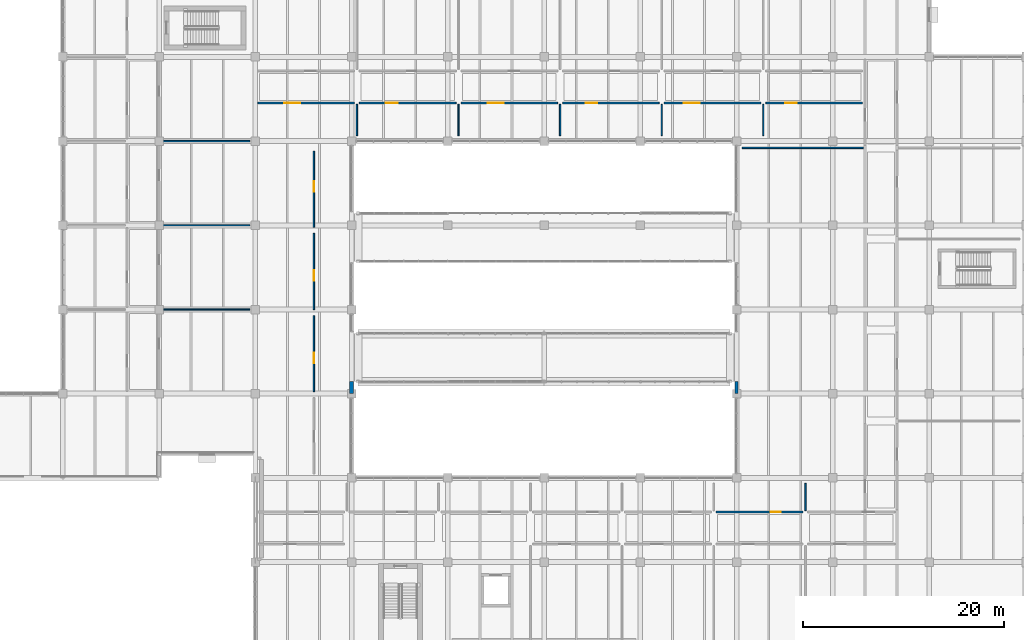
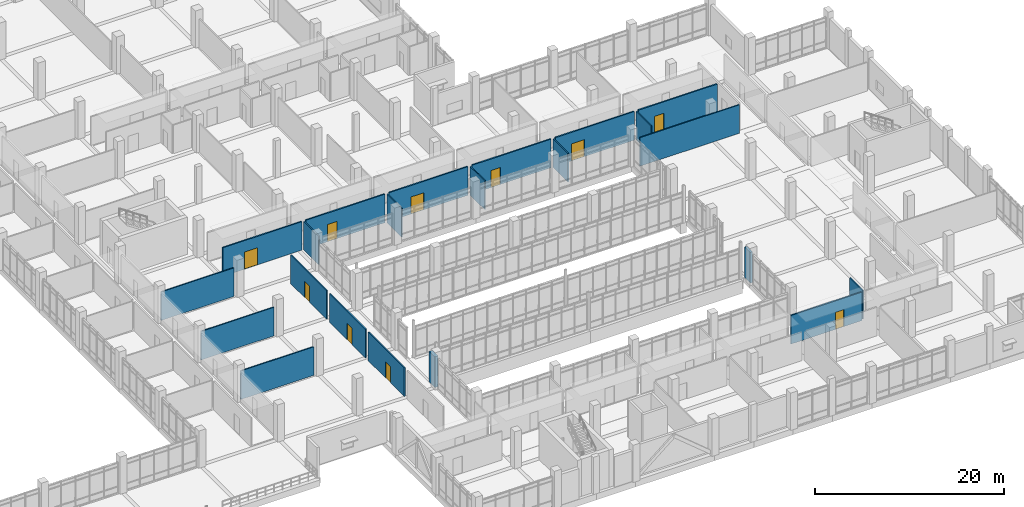
# One storey, part 128 of 152: 22 walls, 10 doors, 10 openings.
"""IFC4 building model written with IfcOpenShell, lengths in metres."""

from ifc_helpers import new_model, si_unit, direction, frame, frame_2d, origin, place, context, subcontext, project, spatial, rectangle, extrude, material, layer, layer_set, type_object, element, fill, save


model = new_model("IFC4")

# Units and contexts
model_context = context("Model", 3, precision=1e-05, world=origin(), true_north=direction((0.0, 1.0)))
body_context = subcontext(model_context, "Body", "Model", "MODEL_VIEW")
ifc_project = project(units=[si_unit("LENGTHUNIT", "METRE"), si_unit("AREAUNIT", "SQUARE_METRE"), si_unit("VOLUMEUNIT", "CUBIC_METRE"), si_unit("PLANEANGLEUNIT", "RADIAN"), si_unit("MASSUNIT", "GRAM", prefix="KILO")], contexts=[model_context])

# Site, building, storey
site_placement = place(None, origin())
site = spatial("IfcSite", under=ifc_project, at=site_placement, CompositionType="ELEMENT")
building_placement = place(site_placement, origin())
building = spatial("IfcBuilding", under=site, at=building_placement, Name="Oolite Switchyard Hospital", CompositionType="ELEMENT")
storey_placement = place(building_placement, frame((0.0, 0.0, 5.10009765625)))
storey = spatial("IfcBuildingStorey", under=building, at=storey_placement, Name="L01", CompositionType="ELEMENT", Elevation=5.10009765625)

# Walls
ifc_material_1 = material(Name="Precast oolitic limestone architectural concrete C40/50", Category="masonry")
ifc_layer_1 = layer(ifc_material_1, 0.300048828125)
ifc_layer_set_1 = layer_set([ifc_layer_1], Name="WAL-EXT-300")
wall_type_1 = type_object("IfcWallType", Name="WAL-EXT-300", PredefinedType="SOLIDWALL", material=ifc_layer_set_1)
wall_1_placement = place(storey_placement, frame((182.39990234375, 33.60009765625, 0.0), z_axis=(0.0, 0.0, 1.0), x_axis=(0.0, 1.0, 0.0)))
element("IfcWall", 1, at=wall_1_placement, inside=storey, type_object=wall_type_1, Name="L01 Exterior Spandrel Wall 120", PredefinedType="SOLIDWALL", context=body_context, shape_type="SweptSolid", body=[
    extrude(rectangle(XDim=1.199951171875, YDim=0.300048828125, at=frame_2d((0.60009765625, 0.0))), origin(), (0.0, 0.0, 1.0), 3.93994140625),
])
ifc_layer_2 = layer(ifc_material_1, 0.3798828125)
ifc_layer_set_2 = layer_set([ifc_layer_2], Name="WAL-EXT-380")
wall_type_2 = type_object("IfcWallType", Name="WAL-EXT-380", PredefinedType="SOLIDWALL", material=ifc_layer_set_2)
wall_2_placement = place(storey_placement, frame((144.0, 34.800048828125, 0.0), z_axis=(0.0, 0.0, 1.0), x_axis=(0.0, -1.0, 0.0)))
element("IfcWall", 2, at=wall_2_placement, inside=storey, type_object=wall_type_2, Name="L01 Exterior Spandrel Wall 117", PredefinedType="SOLIDWALL", context=body_context, shape_type="SweptSolid", body=[
    extrude(rectangle(XDim=1.199951171875, YDim=0.3798828125, at=frame_2d((0.60009765625, 0.0))), origin(), (0.0, 0.0, 1.0), 3.93994140625),
])
ifc_material_2 = material(Name="Moisture-resistant gypsum board on steel studs", Category="steel")
ifc_layer_3 = layer(ifc_material_2, 0.135009765625)
ifc_layer_set_3 = layer_set([ifc_layer_3], Name="WAL-PART-135")
wall_type_3 = type_object("IfcWallType", Name="WAL-PART-135", PredefinedType="PARTITIONING", material=ifc_layer_set_3)
for number, where, z_axis, x_axis, name in (
    (3, (124.949951171875, 42.0, 0.0), (0.0, 0.0, 1.0), (1.0, 0.0, 0.0), "L01 Interior Partition 280"),
    (4, (124.949951171875, 50.39990234375, 0.0), (0.0, 0.0, 1.0), (1.0, 0.0, 0.0), "L01 Interior Partition 284"),
    (5, (124.949951171875, 58.800048828125, 0.0), (0.0, 0.0, 1.0), (1.0, 0.0, 0.0), "L01 Interior Partition 288"),
):
    element("IfcWall", number, at=place(storey_placement, frame(where, z_axis=z_axis, x_axis=x_axis)), inside=storey, type_object=wall_type_3, Name=name, PredefinedType="PARTITIONING", context=body_context, shape_type="SweptSolid", body=[
        extrude(rectangle(XDim=8.900146484375, YDim=0.135009765625, at=frame_2d((4.4501953125, 0.0))), origin(), (0.0, 0.0, 1.0), 3.679931640625),
    ])
wall_3_placement = place(storey_placement, frame((189.258056640625, 21.949951171875, 0.0), z_axis=(0.0, 0.0, 1.0), x_axis=(0.0, 1.0, 0.0)))
element("IfcWall", 6, at=wall_3_placement, inside=storey, type_object=wall_type_3, Name="L01 Interior Partition 376", PredefinedType="PARTITIONING", context=body_context, shape_type="SweptSolid", body=[
    extrude(rectangle(XDim=2.699951171875, YDim=0.135009765625, at=frame_2d((1.35009765625, 0.0))), origin(), (0.0, 0.0, 1.0), 3.679931640625),
])
wall_4_placement = place(storey_placement, frame((182.949951171875, 58.1201171875, 0.0), z_axis=(0.0, 0.0, 1.0), x_axis=(1.0, 0.0, 0.0)))
element("IfcWall", 7, at=wall_4_placement, inside=storey, type_object=wall_type_3, Name="L01 Interior Partition 384", PredefinedType="PARTITIONING", context=body_context, shape_type="SweptSolid", body=[
    extrude(rectangle(XDim=12.10009765625, YDim=0.135009765625, at=frame_2d((6.050048828125, 0.0))), origin(), (0.0, 0.0, 1.0), 3.679931640625),
])
for number, where, z_axis, x_axis, name in (
    (8, (144.532958984375, 59.35009765625, 0.0), (0.0, 0.0, 1.0), (0.0, 1.0, 0.0), "L01 Interior Partition 390"),
    (9, (154.666015625, 59.35009765625, 0.0), (0.0, 0.0, 1.0), (0.0, 1.0, 0.0), "L01 Interior Partition 394"),
    (10, (164.799072265625, 59.35009765625, 0.0), (0.0, 0.0, 1.0), (0.0, 1.0, 0.0), "L01 Interior Partition 398"),
    (11, (174.931884765625, 59.35009765625, 0.0), (0.0, 0.0, 1.0), (0.0, 1.0, 0.0), "L01 Interior Partition 402"),
    (12, (185.06494140625, 59.35009765625, 0.0), (0.0, 0.0, 1.0), (0.0, 1.0, 0.0), "L01 Interior Partition 406"),
):
    element("IfcWall", number, at=place(storey_placement, frame(where, z_axis=z_axis, x_axis=x_axis)), inside=storey, type_object=wall_type_3, Name=name, PredefinedType="PARTITIONING", context=body_context, shape_type="SweptSolid", body=[
        extrude(rectangle(XDim=3.099853515625, YDim=0.135009765625, at=frame_2d((1.5498046875, 0.0))), origin(), (0.0, 0.0, 1.0), 3.679931640625),
    ])

# Wall, opening, door
ifc_layer_4 = layer(ifc_material_2, 0.14990234375)
ifc_layer_set_4 = layer_set([ifc_layer_4], Name="WAL-PART-150")
wall_type_4 = type_object("IfcWallType", Name="WAL-PART-150", PredefinedType="PARTITIONING", material=ifc_layer_set_4)
wall_5_placement = place(storey_placement, frame((140.25, 33.800048828125, 0.0), z_axis=(0.0, 0.0, 1.0), x_axis=(0.0, 1.0, 0.0)))
wall_5 = element("IfcWall", 13, at=wall_5_placement, inside=storey, type_object=wall_type_4, Name="L01 Interior Partition 974", PredefinedType="PARTITIONING", context=body_context, shape_type="SweptSolid", body=[
    extrude(rectangle(XDim=7.599853515625, YDim=0.14990234375, at=frame_2d((3.7998046875, 0.0))), origin(), (0.0, 0.0, 1.0), 3.679931640625),
])
opening_1_placement = place(wall_5_placement, frame((2.85009765625, 0.0, 0.0)))
opening_1 = element("IfcOpeningElement", 14, at=opening_1_placement, cuts=wall_5, Name="Opening D-0542", PredefinedType="OPENING", context=body_context, shape_type="SweptSolid", body=[
    extrude(rectangle(XDim=1.050048828125, YDim=2.10009765625, at=frame_2d((0.52490234375, 1.050048828125))), frame((0.0, 0.0849609375, 0.0), z_axis=(0.0, -1.0, 0.0), x_axis=(1.0, 0.0, 0.0)), (0.0, 0.0, 1.0), 0.169921875),
])
ifc_material_3 = material(Name="Solid-core antimicrobial hardwood leaf in steel frame", Category="steel")
door_type_1 = type_object("IfcDoorType", Name="DR-EXAM-105X210", OperationType="NOTDEFINED", PredefinedType="DOOR", material=ifc_material_3)
door_1_placement = place(opening_1_placement, origin())
door_1 = element("IfcDoor", 15, at=door_1_placement, inside=storey, type_object=door_type_1, Name="L01 Interior Door D-0542", OperationType="SINGLE_SWING_RIGHT", OverallHeight=2.10009765625, OverallWidth=1.050048828125, PredefinedType="DOOR", context=body_context, shape_type="SweptSolid", body=[
    extrude(rectangle(XDim=1.050048828125, YDim=2.10009765625, at=frame_2d((0.52490234375, 1.050048828125))), frame((0.0, 0.02490234375, 0.0), z_axis=(0.0, -1.0, 0.0), x_axis=(1.0, 0.0, 0.0)), (0.0, 0.0, 1.0), 0.050048828125),
])
fill(opening_1, door_1)

wall_6_placement = place(storey_placement, frame((140.25, 42.0, 0.0), z_axis=(0.0, 0.0, 1.0), x_axis=(0.0, 1.0, 0.0)))
wall_6 = element("IfcWall", 16, at=wall_6_placement, inside=storey, type_object=wall_type_4, Name="L01 Interior Partition 975", PredefinedType="PARTITIONING", context=body_context, shape_type="SweptSolid", body=[
    extrude(rectangle(XDim=7.60009765625, YDim=0.14990234375, at=frame_2d((3.800048828125, 0.0))), origin(), (0.0, 0.0, 1.0), 3.679931640625),
])
opening_2_placement = place(wall_6_placement, frame((2.85009765625, 0.0, 0.0)))
opening_2 = element("IfcOpeningElement", 17, at=opening_2_placement, cuts=wall_6, Name="Opening D-0543", PredefinedType="OPENING", context=body_context, shape_type="SweptSolid", body=[
    extrude(rectangle(XDim=1.050048828125, YDim=2.10009765625, at=frame_2d((0.52490234375, 1.050048828125))), frame((0.0, 0.0849609375, 0.0), z_axis=(0.0, -1.0, 0.0), x_axis=(1.0, 0.0, 0.0)), (0.0, 0.0, 1.0), 0.169921875),
])
door_2_placement = place(opening_2_placement, origin())
door_2 = element("IfcDoor", 18, at=door_2_placement, inside=storey, type_object=door_type_1, Name="L01 Interior Door D-0543", OperationType="SINGLE_SWING_LEFT", OverallHeight=2.10009765625, OverallWidth=1.050048828125, PredefinedType="DOOR", context=body_context, shape_type="SweptSolid", body=[
    extrude(rectangle(XDim=1.050048828125, YDim=2.10009765625, at=frame_2d((0.52490234375, 1.050048828125))), frame((0.0, 0.02490234375, 0.0), z_axis=(0.0, -1.0, 0.0), x_axis=(1.0, 0.0, 0.0)), (0.0, 0.0, 1.0), 0.050048828125),
])
fill(opening_2, door_2)

wall_7_placement = place(storey_placement, frame((140.25, 50.199951171875, 0.0), z_axis=(0.0, 0.0, 1.0), x_axis=(0.0, 1.0, 0.0)))
wall_7 = element("IfcWall", 19, at=wall_7_placement, inside=storey, type_object=wall_type_4, Name="L01 Interior Partition 976", PredefinedType="PARTITIONING", context=body_context, shape_type="SweptSolid", body=[
    extrude(rectangle(XDim=7.60009765625, YDim=0.14990234375, at=frame_2d((3.800048828125, 0.0))), origin(), (0.0, 0.0, 1.0), 3.679931640625),
])
opening_3_placement = place(wall_7_placement, frame((3.550048828125, 0.0, 0.0)))
opening_3 = element("IfcOpeningElement", 20, at=opening_3_placement, cuts=wall_7, Name="Opening D-0544", PredefinedType="OPENING", context=body_context, shape_type="SweptSolid", body=[
    extrude(rectangle(XDim=1.050048828125, YDim=2.10009765625, at=frame_2d((0.52490234375, 1.050048828125))), frame((0.0, 0.0849609375, 0.0), z_axis=(0.0, -1.0, 0.0), x_axis=(1.0, 0.0, 0.0)), (0.0, 0.0, 1.0), 0.169921875),
])
door_3_placement = place(opening_3_placement, origin())
door_3 = element("IfcDoor", 21, at=door_3_placement, inside=storey, type_object=door_type_1, Name="L01 Interior Door D-0544", OperationType="SINGLE_SWING_RIGHT", OverallHeight=2.10009765625, OverallWidth=1.050048828125, PredefinedType="DOOR", context=body_context, shape_type="SweptSolid", body=[
    extrude(rectangle(XDim=1.050048828125, YDim=2.10009765625, at=frame_2d((0.52490234375, 1.050048828125))), frame((0.0, 0.02490234375, 0.0), z_axis=(0.0, -1.0, 0.0), x_axis=(1.0, 0.0, 0.0)), (0.0, 0.0, 1.0), 0.050048828125),
])
fill(opening_3, door_3)

ifc_layer_5 = layer(ifc_material_2, 0.1650390625)
ifc_layer_set_5 = layer_set([ifc_layer_5], Name="WAL-PART-165")
wall_type_5 = type_object("IfcWallType", Name="WAL-PART-165", PredefinedType="PARTITIONING", material=ifc_layer_set_5)
wall_8_placement = place(storey_placement, frame((180.364990234375, 21.800048828125, 0.0), z_axis=(0.0, 0.0, 1.0), x_axis=(1.0, 0.0, 0.0)))
wall_8 = element("IfcWall", 22, at=wall_8_placement, inside=storey, type_object=wall_type_5, Name="L01 Interior Partition 371", PredefinedType="PARTITIONING", context=body_context, shape_type="SweptSolid", body=[
    extrude(rectangle(XDim=8.64306640625, YDim=0.1650390625, at=frame_2d((4.321533203125, 0.0))), origin(), (0.0, 0.0, 1.0), 3.679931640625),
])
opening_4_placement = place(wall_8_placement, frame((5.449951171875, 0.0, 0.0)))
opening_4 = element("IfcOpeningElement", 23, at=opening_4_placement, cuts=wall_8, Name="Opening D-0212", PredefinedType="OPENING", context=body_context, shape_type="SweptSolid", body=[
    extrude(rectangle(XDim=1.0, YDim=2.199951171875, at=frame_2d((0.5, 1.10009765625))), frame((0.0, 0.092529296875, 0.0), z_axis=(0.0, -1.0, 0.0), x_axis=(1.0, 0.0, 0.0)), (0.0, 0.0, 1.0), 0.18505859375),
])
door_type_2 = type_object("IfcDoorType", Name="DR-OFF-100X220", OperationType="NOTDEFINED", PredefinedType="DOOR", material=ifc_material_3)
door_4_placement = place(opening_4_placement, origin())
door_4 = element("IfcDoor", 24, at=door_4_placement, inside=storey, type_object=door_type_2, Name="L01 Interior Door D-0212", OperationType="SINGLE_SWING_LEFT", OverallHeight=2.199951171875, OverallWidth=1.0, PredefinedType="DOOR", context=body_context, shape_type="SweptSolid", body=[
    extrude(rectangle(XDim=1.0, YDim=2.199951171875, at=frame_2d((0.5, 1.10009765625))), frame((0.0, 0.02490234375, 0.0), z_axis=(0.0, -1.0, 0.0), x_axis=(1.0, 0.0, 0.0)), (0.0, 0.0, 1.0), 0.050048828125),
])
fill(opening_4, door_4)

wall_9_placement = place(storey_placement, frame((134.64990234375, 62.60009765625, 0.0), z_axis=(0.0, 0.0, 1.0), x_axis=(1.0, 0.0, 0.0)))
wall_9 = element("IfcWall", 25, at=wall_9_placement, inside=storey, type_object=wall_type_5, Name="L01 Interior Partition 387", PredefinedType="PARTITIONING", context=body_context, shape_type="SweptSolid", body=[
    extrude(rectangle(XDim=9.633056640625, YDim=0.1650390625, at=frame_2d((4.81640625, 0.0))), origin(), (0.0, 0.0, 1.0), 3.679931640625),
])
opening_5_placement = place(wall_9_placement, frame((2.64990234375, 0.0, 0.0)))
opening_5 = element("IfcOpeningElement", 26, at=opening_5_placement, cuts=wall_9, Name="Opening D-0221", PredefinedType="OPENING", context=body_context, shape_type="SweptSolid", body=[
    extrude(rectangle(XDim=1.60009765625, YDim=2.199951171875, at=frame_2d((0.800048828125, 1.10009765625))), frame((0.0, 0.092529296875, 0.0), z_axis=(0.0, -1.0, 0.0), x_axis=(1.0, 0.0, 0.0)), (0.0, 0.0, 1.0), 0.18505859375),
])
ifc_material_4 = material(Name="Hollow metal fire-rated steel door assembly", Category="steel")
door_type_3 = type_object("IfcDoorType", Name="DR-DBL-160X220", OperationType="NOTDEFINED", PredefinedType="DOOR", material=ifc_material_4)
door_5_placement = place(opening_5_placement, origin())
door_5 = element("IfcDoor", 27, at=door_5_placement, inside=storey, type_object=door_type_3, Name="L01 Interior Door D-0221", OperationType="DOUBLE_DOOR_SINGLE_SWING", OverallHeight=2.199951171875, OverallWidth=1.60009765625, PredefinedType="DOOR", context=body_context, shape_type="SweptSolid", body=[
    extrude(rectangle(XDim=1.60009765625, YDim=2.199951171875, at=frame_2d((0.800048828125, 1.10009765625))), frame((0.0, 0.02490234375, 0.0), z_axis=(0.0, -1.0, 0.0), x_axis=(1.0, 0.0, 0.0)), (0.0, 0.0, 1.0), 0.050048828125),
])
fill(opening_5, door_5)

wall_10_placement = place(storey_placement, frame((144.782958984375, 62.60009765625, 0.0), z_axis=(0.0, 0.0, 1.0), x_axis=(1.0, 0.0, 0.0)))
wall_10 = element("IfcWall", 28, at=wall_10_placement, inside=storey, type_object=wall_type_5, Name="L01 Interior Partition 389", PredefinedType="PARTITIONING", context=body_context, shape_type="SweptSolid", body=[
    extrude(rectangle(XDim=9.633056640625, YDim=0.1650390625, at=frame_2d((4.81640625, 0.0))), origin(), (0.0, 0.0, 1.0), 3.679931640625),
])
opening_6_placement = place(wall_10_placement, frame((2.64990234375, 0.0, 0.0)))
opening_6 = element("IfcOpeningElement", 29, at=opening_6_placement, cuts=wall_10, Name="Opening D-0223", PredefinedType="OPENING", context=body_context, shape_type="SweptSolid", body=[
    extrude(rectangle(XDim=1.14990234375, YDim=2.199951171875, at=frame_2d((0.574951171875, 1.10009765625))), frame((0.0, 0.092529296875, 0.0), z_axis=(0.0, -1.0, 0.0), x_axis=(1.0, 0.0, 0.0)), (0.0, 0.0, 1.0), 0.18505859375),
])
door_type_4 = type_object("IfcDoorType", Name="DR-CLIN-115X220", OperationType="NOTDEFINED", PredefinedType="DOOR", material=ifc_material_3)
door_6_placement = place(opening_6_placement, origin())
door_6 = element("IfcDoor", 30, at=door_6_placement, inside=storey, type_object=door_type_4, Name="L01 Interior Door D-0223", OperationType="SINGLE_SWING_RIGHT", OverallHeight=2.199951171875, OverallWidth=1.14990234375, PredefinedType="DOOR", context=body_context, shape_type="SweptSolid", body=[
    extrude(rectangle(XDim=1.14990234375, YDim=2.199951171875, at=frame_2d((0.574951171875, 1.10009765625))), frame((0.0, 0.02490234375, 0.0), z_axis=(0.0, -1.0, 0.0), x_axis=(1.0, 0.0, 0.0)), (0.0, 0.0, 1.0), 0.050048828125),
])
fill(opening_6, door_6)

wall_11_placement = place(storey_placement, frame((154.916015625, 62.60009765625, 0.0), z_axis=(0.0, 0.0, 1.0), x_axis=(1.0, 0.0, 0.0)))
wall_11 = element("IfcWall", 31, at=wall_11_placement, inside=storey, type_object=wall_type_5, Name="L01 Interior Partition 393", PredefinedType="PARTITIONING", context=body_context, shape_type="SweptSolid", body=[
    extrude(rectangle(XDim=9.633056640625, YDim=0.1650390625, at=frame_2d((4.81640625, 0.0))), origin(), (0.0, 0.0, 1.0), 3.679931640625),
])
opening_7_placement = place(wall_11_placement, frame((2.64990234375, 0.0, 0.0)))
opening_7 = element("IfcOpeningElement", 32, at=opening_7_placement, cuts=wall_11, Name="Opening D-0225", PredefinedType="OPENING", context=body_context, shape_type="SweptSolid", body=[
    extrude(rectangle(XDim=1.60009765625, YDim=2.199951171875, at=frame_2d((0.800048828125, 1.10009765625))), frame((0.0, 0.092529296875, 0.0), z_axis=(0.0, -1.0, 0.0), x_axis=(1.0, 0.0, 0.0)), (0.0, 0.0, 1.0), 0.18505859375),
])
door_7_placement = place(opening_7_placement, origin())
door_7 = element("IfcDoor", 33, at=door_7_placement, inside=storey, type_object=door_type_3, Name="L01 Interior Door D-0225", OperationType="DOUBLE_DOOR_SINGLE_SWING", OverallHeight=2.199951171875, OverallWidth=1.60009765625, PredefinedType="DOOR", context=body_context, shape_type="SweptSolid", body=[
    extrude(rectangle(XDim=1.60009765625, YDim=2.199951171875, at=frame_2d((0.800048828125, 1.10009765625))), frame((0.0, 0.02490234375, 0.0), z_axis=(0.0, -1.0, 0.0), x_axis=(1.0, 0.0, 0.0)), (0.0, 0.0, 1.0), 0.050048828125),
])
fill(opening_7, door_7)

wall_12_placement = place(storey_placement, frame((165.049072265625, 62.60009765625, 0.0), z_axis=(0.0, 0.0, 1.0), x_axis=(1.0, 0.0, 0.0)))
wall_12 = element("IfcWall", 34, at=wall_12_placement, inside=storey, type_object=wall_type_5, Name="L01 Interior Partition 397", PredefinedType="PARTITIONING", context=body_context, shape_type="SweptSolid", body=[
    extrude(rectangle(XDim=9.6328125, YDim=0.1650390625, at=frame_2d((4.81640625, 0.0))), origin(), (0.0, 0.0, 1.0), 3.679931640625),
])
opening_8_placement = place(wall_12_placement, frame((2.300048828125, 0.0, 0.0)))
opening_8 = element("IfcOpeningElement", 35, at=opening_8_placement, cuts=wall_12, Name="Opening D-0227", PredefinedType="OPENING", context=body_context, shape_type="SweptSolid", body=[
    extrude(rectangle(XDim=1.14990234375, YDim=2.199951171875, at=frame_2d((0.574951171875, 1.10009765625))), frame((0.0, 0.092529296875, 0.0), z_axis=(0.0, -1.0, 0.0), x_axis=(1.0, 0.0, 0.0)), (0.0, 0.0, 1.0), 0.18505859375),
])
door_8_placement = place(opening_8_placement, origin())
door_8 = element("IfcDoor", 36, at=door_8_placement, inside=storey, type_object=door_type_4, Name="L01 Interior Door D-0227", OperationType="SINGLE_SWING_RIGHT", OverallHeight=2.199951171875, OverallWidth=1.14990234375, PredefinedType="DOOR", context=body_context, shape_type="SweptSolid", body=[
    extrude(rectangle(XDim=1.14990234375, YDim=2.199951171875, at=frame_2d((0.574951171875, 1.10009765625))), frame((0.0, 0.02490234375, 0.0), z_axis=(0.0, -1.0, 0.0), x_axis=(1.0, 0.0, 0.0)), (0.0, 0.0, 1.0), 0.050048828125),
])
fill(opening_8, door_8)

wall_13_placement = place(storey_placement, frame((175.181884765625, 62.60009765625, 0.0), z_axis=(0.0, 0.0, 1.0), x_axis=(1.0, 0.0, 0.0)))
wall_13 = element("IfcWall", 37, at=wall_13_placement, inside=storey, type_object=wall_type_5, Name="L01 Interior Partition 401", PredefinedType="PARTITIONING", context=body_context, shape_type="SweptSolid", body=[
    extrude(rectangle(XDim=9.633056640625, YDim=0.1650390625, at=frame_2d((4.81640625, 0.0))), origin(), (0.0, 0.0, 1.0), 3.679931640625),
])
opening_9_placement = place(wall_13_placement, frame((1.949951171875, 0.0, 0.0)))
opening_9 = element("IfcOpeningElement", 38, at=opening_9_placement, cuts=wall_13, Name="Opening D-0229", PredefinedType="OPENING", context=body_context, shape_type="SweptSolid", body=[
    extrude(rectangle(XDim=1.60009765625, YDim=2.199951171875, at=frame_2d((0.800048828125, 1.10009765625))), frame((0.0, 0.092529296875, 0.0), z_axis=(0.0, -1.0, 0.0), x_axis=(1.0, 0.0, 0.0)), (0.0, 0.0, 1.0), 0.18505859375),
])
door_9_placement = place(opening_9_placement, origin())
door_9 = element("IfcDoor", 39, at=door_9_placement, inside=storey, type_object=door_type_3, Name="L01 Interior Door D-0229", OperationType="DOUBLE_DOOR_SINGLE_SWING", OverallHeight=2.199951171875, OverallWidth=1.60009765625, PredefinedType="DOOR", context=body_context, shape_type="SweptSolid", body=[
    extrude(rectangle(XDim=1.60009765625, YDim=2.199951171875, at=frame_2d((0.800048828125, 1.10009765625))), frame((0.0, 0.02490234375, 0.0), z_axis=(0.0, -1.0, 0.0), x_axis=(1.0, 0.0, 0.0)), (0.0, 0.0, 1.0), 0.050048828125),
])
fill(opening_9, door_9)

wall_14_placement = place(storey_placement, frame((185.31494140625, 62.60009765625, 0.0), z_axis=(0.0, 0.0, 1.0), x_axis=(1.0, 0.0, 0.0)))
wall_14 = element("IfcWall", 40, at=wall_14_placement, inside=storey, type_object=wall_type_5, Name="L01 Interior Partition 405", PredefinedType="PARTITIONING", context=body_context, shape_type="SweptSolid", body=[
    extrude(rectangle(XDim=9.633056640625, YDim=0.1650390625, at=frame_2d((4.81640625, 0.0))), origin(), (0.0, 0.0, 1.0), 3.679931640625),
])
opening_10_placement = place(wall_14_placement, frame((1.949951171875, 0.0, 0.0)))
opening_10 = element("IfcOpeningElement", 41, at=opening_10_placement, cuts=wall_14, Name="Opening D-0231", PredefinedType="OPENING", context=body_context, shape_type="SweptSolid", body=[
    extrude(rectangle(XDim=1.14990234375, YDim=2.199951171875, at=frame_2d((0.574951171875, 1.10009765625))), frame((0.0, 0.092529296875, 0.0), z_axis=(0.0, -1.0, 0.0), x_axis=(1.0, 0.0, 0.0)), (0.0, 0.0, 1.0), 0.18505859375),
])
door_10_placement = place(opening_10_placement, origin())
door_10 = element("IfcDoor", 42, at=door_10_placement, inside=storey, type_object=door_type_4, Name="L01 Interior Door D-0231", OperationType="SINGLE_SWING_RIGHT", OverallHeight=2.199951171875, OverallWidth=1.14990234375, PredefinedType="DOOR", context=body_context, shape_type="SweptSolid", body=[
    extrude(rectangle(XDim=1.14990234375, YDim=2.199951171875, at=frame_2d((0.574951171875, 1.10009765625))), frame((0.0, 0.02490234375, 0.0), z_axis=(0.0, -1.0, 0.0), x_axis=(1.0, 0.0, 0.0)), (0.0, 0.0, 1.0), 0.050048828125),
])
fill(opening_10, door_10)

save(model, "model.ifc")
